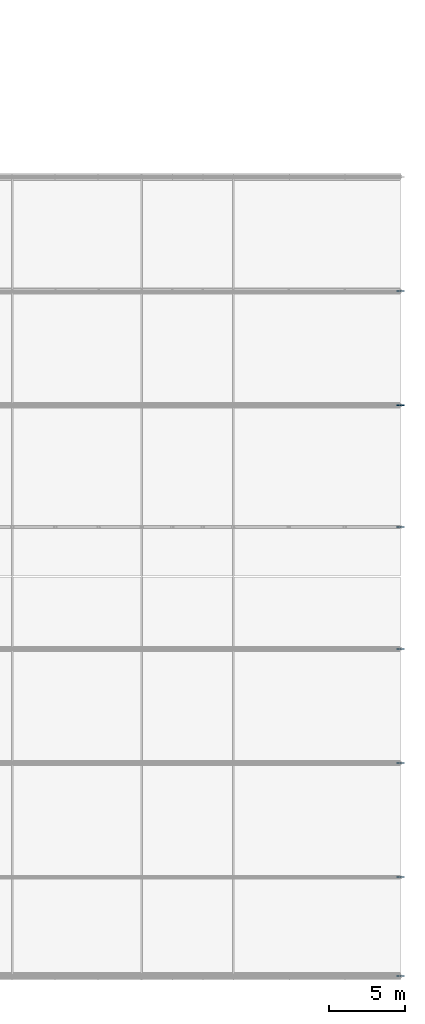
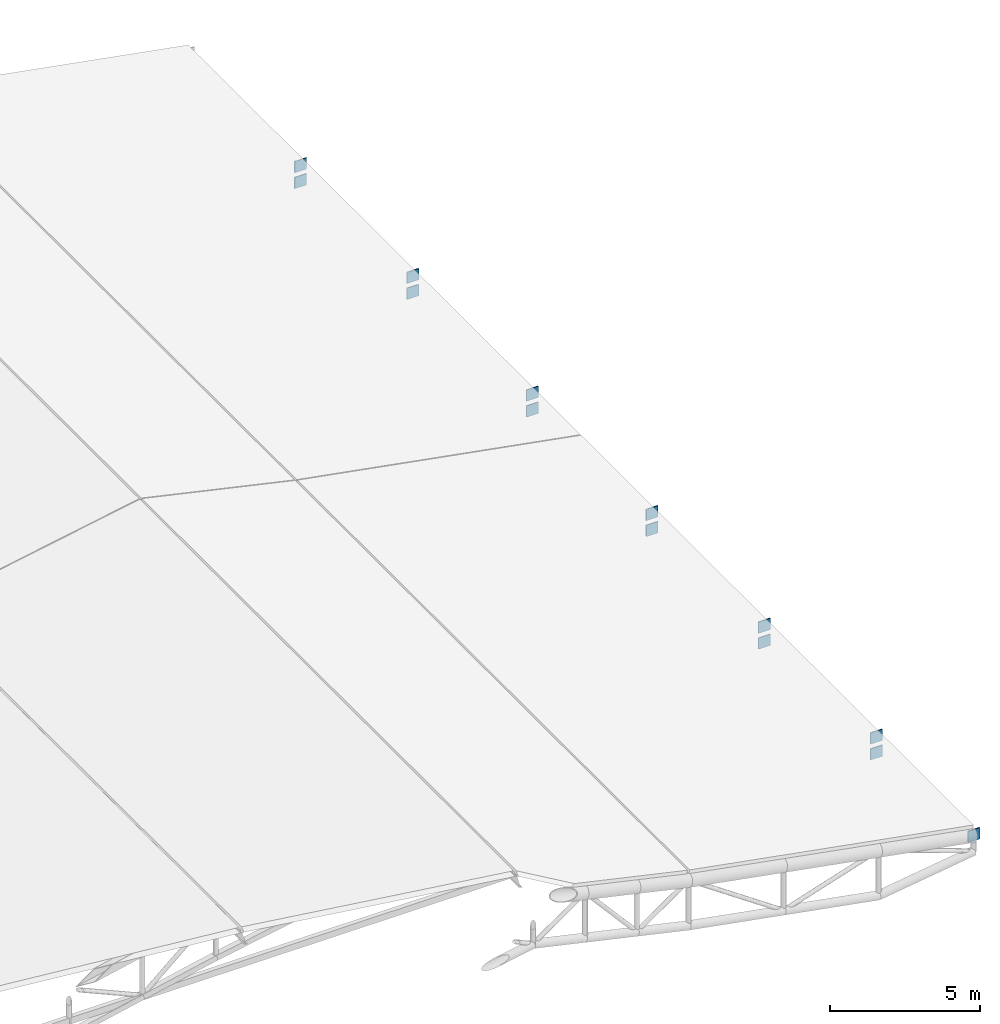
# One storey, part 27 of 28: 13 plates.
"""IFC4 building model written with IfcOpenShell, lengths in metres."""

from ifc_helpers import new_model, si_unit, direction, frame, origin, origin_2d, place, context, subcontext, project, spatial, rectangle, extrude, material, layer, layer_set, type_object, element, save


model = new_model("IFC4")

# Units and contexts
model_context = context("Model", 3, precision=1e-05, world=origin(), true_north=direction((0.0, 1.0)))
body_context = subcontext(model_context, "Body", "Model", "MODEL_VIEW")
ifc_project = project(units=[si_unit("LENGTHUNIT", "METRE"), si_unit("AREAUNIT", "SQUARE_METRE"), si_unit("VOLUMEUNIT", "CUBIC_METRE"), si_unit("PLANEANGLEUNIT", "RADIAN"), si_unit("MASSUNIT", "GRAM", prefix="KILO"), si_unit("THERMODYNAMICTEMPERATUREUNIT", "KELVIN"), si_unit("POWERUNIT", "WATT")], contexts=[model_context])

# Site, building, storey
site_placement = place(None, origin())
site = spatial("IfcSite", under=ifc_project, at=site_placement, CompositionType="ELEMENT")
building_placement = place(site_placement, origin())
building = spatial("IfcBuilding", under=site, at=building_placement, Name="Tepalcoro Natatorium and Aquatics Centre", CompositionType="ELEMENT")
storey_placement = place(building_placement, frame((0.0, 0.0, 23.199951171875)))
storey = spatial("IfcBuildingStorey", under=building, at=storey_placement, Name="RF", CompositionType="ELEMENT", Elevation=23.199951171875)

# Plates
ifc_material = material(Name="Plate Steel ASTM A572 Grade 50 (Fy 345 MPa)", Category="steel")
ifc_layer = layer(ifc_material, 0.0400390625)
ifc_layer_set = layer_set([ifc_layer], Name="Plate Steel ASTM A572 Grade 50 (Fy 345 MPa)")
plate_type = type_object("IfcPlateType", Name="PL_GUSSET_40", PredefinedType="USERDEFINED", material=ifc_layer_set)
for number, where, z_axis, x_axis, name in (
    (1, (176.0, 6.5, -3.947021484375), (0.0, 0.0, 1.0), (1.0, 0.0, 0.0), "Truss Node Gusset Plate V2T_0"),
    (2, (176.0, 13.0, -4.517822265625), (0.0, 0.0, 1.0), (1.0, 0.0, 0.0), "Truss Node Gusset Plate V2AT_1"),
    (3, (176.0, 13.0, -3.867919921875), (0.0, 0.0, 1.0), (1.0, 0.0, 0.0), "Truss Node Gusset Plate V2T_1"),
    (4, (176.0, 20.5, -4.54296875), (0.0, 0.0, 1.0), (1.0, 0.0, 0.0), "Truss Node Gusset Plate V2AT_2"),
    (5, (176.0, 20.5, -3.892822265625), (0.0, 0.0, 1.0), (1.0, 0.0, 0.0), "Truss Node Gusset Plate V2T_2"),
    (6, (176.0, 28.0, -4.492919921875), (0.0, 0.0, 1.0), (1.0, 0.0, 0.0), "Truss Node Gusset Plate V2AT_3"),
    (7, (176.0, 28.0, -3.843017578125), (0.0, 0.0, 1.0), (1.0, 0.0, 0.0), "Truss Node Gusset Plate V2T_3"),
    (8, (176.0, 36.0, -4.468017578125), (0.0, 0.0, 1.0), (1.0, 0.0, 0.0), "Truss Node Gusset Plate V2AT_4"),
    (9, (176.0, 36.0, -3.81787109375), (0.0, 0.0, 1.0), (1.0, 0.0, 0.0), "Truss Node Gusset Plate V2T_4"),
    (10, (176.0, 44.0, -4.52099609375), (0.0, 0.0, 1.0), (1.0, 0.0, 0.0), "Truss Node Gusset Plate V2AT_5"),
    (11, (176.0, 44.0, -3.870849609375), (0.0, 0.0, 1.0), (1.0, 0.0, 0.0), "Truss Node Gusset Plate V2T_5"),
    (12, (176.0, 51.5, -4.5458984375), (0.0, 0.0, 1.0), (1.0, 0.0, 0.0), "Truss Node Gusset Plate V2AT_6"),
    (13, (176.0, 51.5, -3.89599609375), (0.0, 0.0, 1.0), (1.0, 0.0, 0.0), "Truss Node Gusset Plate V2T_6"),
):
    element("IfcPlate", number, at=place(storey_placement, frame(where, z_axis=z_axis, x_axis=x_axis)), inside=storey, type_object=plate_type, Name=name, ObjectType="GUSSET PLATE", PredefinedType="USERDEFINED", context=body_context, shape_type="SweptSolid", body=[
        extrude(rectangle(XDim=0.4599609375, YDim=0.0400390625, at=origin_2d()), origin(), (0.0, 0.0, 1.0), 0.4599609375),
    ])

save(model, "model.ifc")
